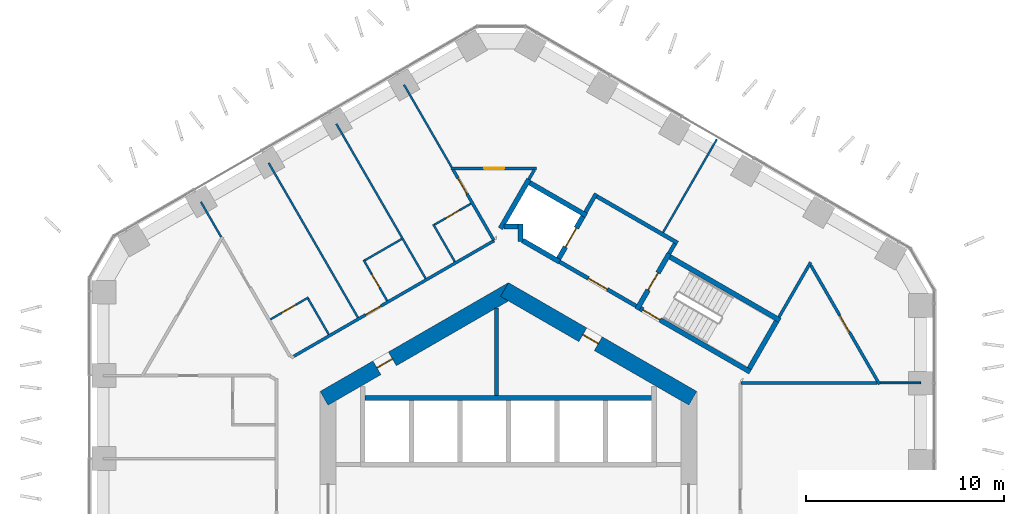
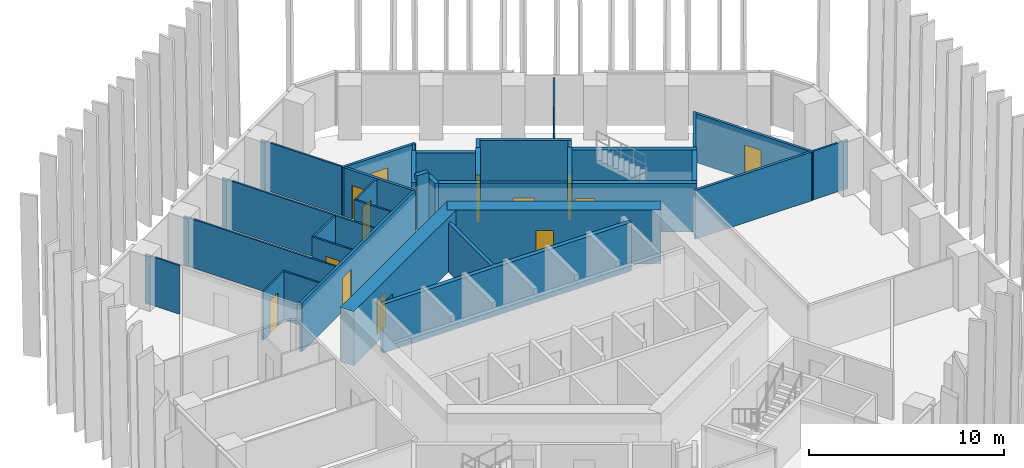
# One storey, part 15 of 19: 37 walls, 13 doors, 13 openings.
"""IFC4 building model written with IfcOpenShell, lengths in metres."""

import ifcopenshell
import ifcopenshell.guid

model = None  # the IFC model being written
_history = None  # IfcOwnerHistory: only IFC2X3 demands one
_inside = {}  # id of a spatial element -> (the spatial element, [elements in it])
_under = {}  # id of a project, library or spatial element -> (it, [spatial elements below it])
_declared = {}  # id of a project -> (the project, [libraries it declares])
_typed = {}  # id of a type object -> (the type object, [elements of that type])
_made_of = {}  # id of a material, layer set ... -> (it, [elements and type objects made of it])


def new_model(schema):
    """Start an empty IFC model of exactly this schema.

    Asked for "IFC4X3", IfcOpenShell would pick the latest addendum, in which some entities
    have other attributes; the version numbers below select the first issue.
    IFC2X3 requires an IfcOwnerHistory on every rooted entity: one is made here for all.
    """
    global model, _history
    if schema == "IFC4X3":
        model = ifcopenshell.file(schema_version=(4, 3, 0, 0))
    else:
        model = ifcopenshell.file(schema=schema)
    _inside.clear()
    _under.clear()
    _declared.clear()
    _typed.clear()
    _made_of.clear()
    _history = None
    if model.schema == "IFC2X3":
        org = make("IfcOrganization", Name="unknown")
        user = make(
            "IfcPersonAndOrganization",
            ThePerson=make("IfcPerson", FamilyName="unknown"),
            TheOrganization=org,
        )
        app = make(
            "IfcApplication",
            ApplicationDeveloper=org,
            Version="unknown",
            ApplicationFullName="unknown",
            ApplicationIdentifier="unknown",
        )
        _history = make(
            "IfcOwnerHistory",
            OwningUser=user,
            OwningApplication=app,
            ChangeAction="ADDED",
            CreationDate=0,
        )
    return model


def make(cls, **values):
    """One entity of the class cls with the attributes given. An attribute that is None is left unset."""
    return model.create_entity(
        cls, **{name: value for name, value in values.items() if value is not None}
    )


def rooted(cls, **values):
    """An entity with a GlobalId (a new one), such as an element, a storey or a relation."""
    return make(cls, GlobalId=ifcopenshell.guid.new(), OwnerHistory=_history, **values)


def si_unit(unit_type, name, prefix=None):
    """IfcSIUnit, for example si_unit("LENGTHUNIT", "METRE", prefix="MILLI")."""
    return make("IfcSIUnit", UnitType=unit_type, Prefix=prefix, Name=name)


def assignment(units):
    """IfcUnitAssignment: the units of a project."""
    return None if units is None else make("IfcUnitAssignment", Units=units)


def point(xyz):
    """IfcCartesianPoint."""
    return None if xyz is None else make("IfcCartesianPoint", Coordinates=xyz)


def direction(xyz):
    """IfcDirection."""
    return None if xyz is None else make("IfcDirection", DirectionRatios=xyz)


def frame(location, z_axis=None, x_axis=None):
    """IfcAxis2Placement3D, a coordinate frame: its origin and axes. An axis left out is left unset."""
    return make(
        "IfcAxis2Placement3D",
        Location=point(location),
        Axis=direction(z_axis),
        RefDirection=direction(x_axis),
    )


def frame_2d(location, x_axis=None):
    """IfcAxis2Placement2D, a coordinate frame in the plane: its origin and x axis."""
    return make(
        "IfcAxis2Placement2D", Location=point(location), RefDirection=direction(x_axis)
    )


def origin():
    """The frame at (0, 0, 0) with its axes left unset."""
    return frame((0.0, 0.0, 0.0))


def place(relative_to, where):
    """IfcLocalPlacement: puts the frame where relative to a parent placement (None: the world)."""
    return make(
        "IfcLocalPlacement", PlacementRelTo=relative_to, RelativePlacement=where
    )


def context(
    kind, dimensions, precision=None, world=None, true_north=None, identifier=None
):
    """IfcGeometricRepresentationContext, for example the 3D "Model" context."""
    return make(
        "IfcGeometricRepresentationContext",
        ContextIdentifier=identifier,
        ContextType=kind,
        CoordinateSpaceDimension=dimensions,
        Precision=precision,
        WorldCoordinateSystem=world,
        TrueNorth=true_north,
    )


def subcontext(parent, identifier, kind, view, scale=None):
    """IfcGeometricRepresentationSubContext, for example "Body" below "Model"."""
    return make(
        "IfcGeometricRepresentationSubContext",
        ContextIdentifier=identifier,
        ContextType=kind,
        ParentContext=parent,
        TargetScale=scale,
        TargetView=view,
    )


def project(units=None, contexts=None):
    """IfcProject with its units and contexts."""
    return rooted(
        "IfcProject",
        Name="project",
        RepresentationContexts=contexts,
        UnitsInContext=assignment(units),
    )


def spatial(cls, under=None, at=None, **own):
    """A site, building, storey or space (cls), placed at a placement, below another one or the project."""
    s = rooted(cls, ObjectPlacement=at, **own)
    if under is not None:
        _under.setdefault(under.id(), (under, []))[1].append(s)
    return s


def profile(cls, at=None, kind="AREA", **sizes):
    """A parametric profile (cls). Its sizes go by their IFC names, for example OverallWidth=200.0."""
    return make(cls, ProfileType=kind, Position=at, **sizes)


def rectangle(**sizes):
    """IfcRectangleProfileDef."""
    return profile("IfcRectangleProfileDef", **sizes)


def extrude(swept, where, along, depth):
    """IfcExtrudedAreaSolid: the profile swept, set in the frame where, extruded along a direction by depth."""
    return make(
        "IfcExtrudedAreaSolid",
        SweptArea=swept,
        Position=where,
        ExtrudedDirection=direction(along),
        Depth=depth,
    )


def shape(context_of_items, identifier, shape_type, items):
    """IfcShapeRepresentation: the items that make up one representation, for example the "Body"."""
    return make(
        "IfcShapeRepresentation",
        ContextOfItems=context_of_items,
        RepresentationIdentifier=identifier,
        RepresentationType=shape_type,
        Items=items,
    )


def material(Name=None, Category=None):
    """IfcMaterial."""
    return make("IfcMaterial", Name=Name, Category=Category)


def layer(
    of_material, thickness, ventilated=None, Name=None, Category=None, Priority=None
):
    """IfcMaterialLayer: one layer of a wall or slab, of a material (None: an air gap)."""
    return make(
        "IfcMaterialLayer",
        Material=of_material,
        LayerThickness=thickness,
        IsVentilated=ventilated,
        Name=Name,
        Category=Category,
        Priority=Priority,
    )


def layer_set(layers, Name=None):
    """IfcMaterialLayerSet."""
    return make("IfcMaterialLayerSet", MaterialLayers=layers, LayerSetName=Name)


def made_of(thing, what):
    """Note that an element or type object is made of a material, layer set ...; save() writes the relation."""
    if what is not None:
        _made_of.setdefault(what.id(), (what, []))[1].append(thing)
    return thing


def type_object(cls, material=None, **own):
    """A type object (cls), such as IfcWallType, which elements share."""
    return made_of(rooted(cls, **own), material)


def element(
    cls,
    number,
    at=None,
    inside=None,
    cuts=None,
    type_object=None,
    material=None,
    context=None,
    identifier="Body",
    shape_type=None,
    held_by="IfcProductDefinitionShape",
    body=None,
    shapes=None,
    **own,
):
    """One element of the class cls, such as IfcWall. Its Tag is "e" and its number.

    at: its placement. inside: the storey or other place that contains it. cuts: it is an
    opening in that element (IfcRelVoidsElement). A single representation is given by context,
    identifier, shape_type and body (its items); several are given by shapes. held_by: the class
    of the entity that holds the representations. save() writes the other relations.
    """
    e = rooted(cls, Tag="e%d" % number, ObjectPlacement=at, **own)
    if body is not None:
        shapes = [shape(context, identifier, shape_type, body)]
    if shapes is not None:
        e.Representation = make(held_by, Representations=shapes)
    if inside is not None:
        _inside.setdefault(inside.id(), (inside, []))[1].append(e)
    if cuts is not None:
        rooted(
            "IfcRelVoidsElement", RelatingBuildingElement=cuts, RelatedOpeningElement=e
        )
    if type_object is not None:
        _typed.setdefault(type_object.id(), (type_object, []))[1].append(e)
    return made_of(e, material)


def fill(opening, filler):
    """IfcRelFillsElement: the door or window that sits in an opening."""
    return rooted(
        "IfcRelFillsElement",
        RelatingOpeningElement=opening,
        RelatedBuildingElement=filler,
    )


def aggregate(whole, parts):
    """IfcRelAggregates: a whole, such as a stair, and the parts it consists of."""
    return rooted("IfcRelAggregates", RelatingObject=whole, RelatedObjects=parts)


def save(model, path):
    """Write the relations noted so far, then the file.

    IfcRelAggregates (storeys below a building ...), IfcRelContainedInSpatialStructure (elements
    in a storey), IfcRelDefinesByType, IfcRelAssociatesMaterial and IfcRelDeclares: one each for
    every whole, place, type object, material and project.
    """
    for whole, parts in _under.values():
        aggregate(whole, parts)
    for where, things in _inside.values():
        rooted(
            "IfcRelContainedInSpatialStructure",
            RelatedElements=things,
            RelatingStructure=where,
        )
    for kind, things in _typed.values():
        rooted("IfcRelDefinesByType", RelatedObjects=things, RelatingType=kind)
    for what, things in _made_of.values():
        rooted("IfcRelAssociatesMaterial", RelatedObjects=things, RelatingMaterial=what)
    for by, libraries in _declared.values():
        rooted("IfcRelDeclares", RelatingContext=by, RelatedDefinitions=libraries)
    model.write(path)


model = new_model("IFC4")

# Units and contexts
model_context = context("Model", 3, precision=1e-05, world=origin(), true_north=direction((0.0, 1.0)))
body_context = subcontext(model_context, "Body", "Model", "MODEL_VIEW")
ifc_project = project(units=[si_unit("LENGTHUNIT", "METRE"), si_unit("AREAUNIT", "SQUARE_METRE"), si_unit("VOLUMEUNIT", "CUBIC_METRE"), si_unit("PLANEANGLEUNIT", "RADIAN"), si_unit("MASSUNIT", "GRAM", prefix="KILO")], contexts=[model_context])

# Site, building, storey
site_placement = place(None, origin())
site = spatial("IfcSite", under=ifc_project, at=site_placement, CompositionType="ELEMENT")
building_placement = place(site_placement, origin())
building = spatial("IfcBuilding", under=site, at=building_placement, Name="Ayvan Gate Tower", CompositionType="ELEMENT")
storey_placement = place(building_placement, frame((0.0, 0.0, 45.89990234375)))
storey = spatial("IfcBuildingStorey", under=building, at=storey_placement, Name="L11", CompositionType="ELEMENT", Elevation=45.89990234375)

# Wall, opening, door
ifc_material_1 = material(Name="Concrete C70/85", Category="concrete")
ifc_layer_1 = layer(ifc_material_1, 0.800048828125)
ifc_layer_set_1 = layer_set([ifc_layer_1], Name="Concrete C70/85")
wall_type_1 = type_object("IfcWallType", Name="Core wall 800 C70/85", PredefinedType="SHEAR", material=ifc_layer_set_1)
wall_1_placement = place(storey_placement, frame((9.300048828125, 5.138427734375, 0.0), z_axis=(0.0, 0.0, 1.0), x_axis=(-0.866023993627, 0.500002442456, 0.0)))
wall_1 = element("IfcWall", 1, at=wall_1_placement, inside=storey, type_object=wall_type_1, Name="CORE-L11-1", PredefinedType="SHEAR", context=body_context, shape_type="SweptSolid", body=[
    extrude(rectangle(XDim=10.9697265625, YDim=0.800048828125, at=frame_2d((5.48486328125, 0.0))), origin(), (0.0, 0.0, 1.0), 3.400146484375),
])
opening_1_placement = place(wall_1_placement, frame((5.5087890625, 0.0, 0.0)))
opening_1 = element("IfcOpeningElement", 2, at=opening_1_placement, cuts=wall_1, Name="Opening L11-D35", PredefinedType="OPENING", context=body_context, shape_type="SweptSolid", body=[
    extrude(rectangle(XDim=0.89990234375, YDim=2.10009765625, at=frame_2d((0.449951171875, 1.050048828125))), frame((0.0, 0.409912109375, 0.0), z_axis=(0.0, -1.0, 0.0), x_axis=(1.0, 0.0, 0.0)), (0.0, 0.0, 1.0), 0.820068359375),
])
ifc_material_2 = material(Name="Timber door leaf", Category="wood")
door_type_1 = type_object("IfcDoorType", Name="DT-900", OperationType="NOTDEFINED", PredefinedType="DOOR", material=ifc_material_2)
door_1_placement = place(opening_1_placement, origin())
door_1 = element("IfcDoor", 3, at=door_1_placement, inside=storey, type_object=door_type_1, Name="CD-L11-35", OperationType="SINGLE_SWING_RIGHT", OverallHeight=2.10009765625, OverallWidth=0.89990234375, PredefinedType="DOOR", context=body_context, shape_type="SweptSolid", body=[
    extrude(rectangle(XDim=0.89990234375, YDim=2.10009765625, at=frame_2d((0.449951171875, 1.050048828125))), frame((0.0, 0.02490234375, 0.0), z_axis=(0.0, -1.0, 0.0), x_axis=(1.0, 0.0, 0.0)), (0.0, 0.0, 1.0), 0.050048828125),
])
fill(opening_1, door_1)

wall_2_placement = place(storey_placement, frame((0.199951171875, 10.623291015625, 0.0), z_axis=(0.0, 0.0, 1.0), x_axis=(-0.866023993627, -0.500002442456, 0.0)))
wall_2 = element("IfcWall", 4, at=wall_2_placement, inside=storey, type_object=wall_type_1, Name="CORE-L11-2", PredefinedType="SHEAR", context=body_context, shape_type="SweptSolid", body=[
    extrude(rectangle(XDim=10.9697265625, YDim=0.800048828125, at=frame_2d((5.48486328125, 0.0))), origin(), (0.0, 0.0, 1.0), 3.400146484375),
])
opening_2_placement = place(wall_2_placement, frame((6.99267578125, 0.0, 0.0)))
opening_2 = element("IfcOpeningElement", 5, at=opening_2_placement, cuts=wall_2, Name="Opening L11-D34", PredefinedType="OPENING", context=body_context, shape_type="SweptSolid", body=[
    extrude(rectangle(XDim=0.89990234375, YDim=2.10009765625, at=frame_2d((0.449951171875, 1.050048828125))), frame((0.0, 0.409912109375, 0.0), z_axis=(0.0, -1.0, 0.0), x_axis=(1.0, 0.0, 0.0)), (0.0, 0.0, 1.0), 0.820068359375),
])
door_2_placement = place(opening_2_placement, origin())
door_2 = element("IfcDoor", 6, at=door_2_placement, inside=storey, type_object=door_type_1, Name="CD-L11-34", OperationType="SINGLE_SWING_LEFT", OverallHeight=2.10009765625, OverallWidth=0.89990234375, PredefinedType="DOOR", context=body_context, shape_type="SweptSolid", body=[
    extrude(rectangle(XDim=0.89990234375, YDim=2.10009765625, at=frame_2d((0.449951171875, 1.050048828125))), frame((0.0, 0.02490234375, 0.0), z_axis=(0.0, -1.0, 0.0), x_axis=(1.0, 0.0, 0.0)), (0.0, 0.0, 1.0), 0.050048828125),
])
fill(opening_2, door_2)

ifc_material_3 = material(Name="Plasterboard on steel stud", Category="steel")
ifc_layer_2 = layer(ifc_material_3, 0.14990234375)
ifc_layer_set_2 = layer_set([ifc_layer_2], Name="Plasterboard on steel stud")
wall_type_2 = type_object("IfcWallType", Name="WT-CORR-150", PredefinedType="PARTITIONING", material=ifc_layer_set_2)
wall_3_placement = place(storey_placement, frame((-10.82958984375, 7.257568359375, 0.0), z_axis=(0.0, 0.0, 1.0), x_axis=(0.86602420186, 0.500002081789, 0.0)))
wall_3 = element("IfcWall", 7, at=wall_3_placement, inside=storey, type_object=wall_type_2, Name="IW-L11-019", PredefinedType="PARTITIONING", context=body_context, shape_type="SweptSolid", body=[
    extrude(rectangle(XDim=11.6640625, YDim=0.14990234375, at=frame_2d((5.83203125, 0.0))), origin(), (0.0, 0.0, 1.0), 3.050048828125),
])
opening_3_placement = place(wall_3_placement, frame((4.178466796875, 0.0, 0.0)))
opening_3 = element("IfcOpeningElement", 8, at=opening_3_placement, cuts=wall_3, Name="Opening L11-D30", PredefinedType="OPENING", context=body_context, shape_type="SweptSolid", body=[
    extrude(rectangle(XDim=0.89990234375, YDim=2.10009765625, at=frame_2d((0.449951171875, 1.050048828125))), frame((0.0, 0.0849609375, 0.0), z_axis=(0.0, -1.0, 0.0), x_axis=(1.0, 0.0, 0.0)), (0.0, 0.0, 1.0), 0.169921875),
])
door_3_placement = place(opening_3_placement, origin())
door_3 = element("IfcDoor", 9, at=door_3_placement, inside=storey, type_object=door_type_1, Name="ID-L11-030", OperationType="SINGLE_SWING_LEFT", OverallHeight=2.10009765625, OverallWidth=0.89990234375, PredefinedType="DOOR", context=body_context, shape_type="SweptSolid", body=[
    extrude(rectangle(XDim=0.89990234375, YDim=2.10009765625, at=frame_2d((0.449951171875, 1.050048828125))), frame((0.0, 0.02490234375, 0.0), z_axis=(0.0, -1.0, 0.0), x_axis=(1.0, 0.0, 0.0)), (0.0, 0.0, 1.0), 0.050048828125),
])
fill(opening_3, door_3)

wall_4_placement = place(storey_placement, frame((-2.9052734375, 16.730224609375, 0.0), z_axis=(0.0, 0.0, 1.0), x_axis=(1.0, 0.0, 0.0)))
wall_4 = element("IfcWall", 10, at=wall_4_placement, inside=storey, type_object=wall_type_2, Name="IW-L11-050", PredefinedType="PARTITIONING", context=body_context, shape_type="SweptSolid", body=[
    extrude(rectangle(XDim=4.32568359375, YDim=0.14990234375, at=frame_2d((2.162841796875, 0.0))), origin(), (0.0, 0.0, 1.0), 3.050048828125),
])
opening_4_placement = place(wall_4_placement, frame((1.68017578125, 0.0, 0.0)))
opening_4 = element("IfcOpeningElement", 11, at=opening_4_placement, cuts=wall_4, Name="Opening L11-D19", PredefinedType="OPENING", context=body_context, shape_type="SweptSolid", body=[
    extrude(rectangle(XDim=1.0, YDim=2.10009765625, at=frame_2d((0.5, 1.050048828125))), frame((0.0, 0.0849609375, 0.0), z_axis=(0.0, -1.0, 0.0), x_axis=(1.0, 0.0, 0.0)), (0.0, 0.0, 1.0), 0.169921875),
])
door_type_2 = type_object("IfcDoorType", Name="DT-1000", OperationType="NOTDEFINED", PredefinedType="DOOR", material=ifc_material_2)
door_4_placement = place(opening_4_placement, origin())
door_4 = element("IfcDoor", 12, at=door_4_placement, inside=storey, type_object=door_type_2, Name="ID-L11-019", OperationType="SINGLE_SWING_RIGHT", OverallHeight=2.10009765625, OverallWidth=1.0, PredefinedType="DOOR", context=body_context, shape_type="SweptSolid", body=[
    extrude(rectangle(XDim=1.0, YDim=2.10009765625, at=frame_2d((0.5, 1.050048828125))), frame((0.0, 0.02490234375, 0.0), z_axis=(0.0, -1.0, 0.0), x_axis=(1.0, 0.0, 0.0)), (0.0, 0.0, 1.0), 0.050048828125),
])
fill(opening_4, door_4)

wall_5_placement = place(storey_placement, frame((-2.792724609375, 16.665283203125, 0.0), z_axis=(0.0, 0.0, 1.0), x_axis=(0.499993881836, -0.866028936079, 0.0)))
wall_5 = element("IfcWall", 13, at=wall_5_placement, inside=storey, type_object=wall_type_2, Name="IW-L11-057", PredefinedType="PARTITIONING", context=body_context, shape_type="SweptSolid", body=[
    extrude(rectangle(XDim=4.1005859375, YDim=0.14990234375, at=frame_2d((2.05029296875, 0.0))), origin(), (0.0, 0.0, 1.0), 3.050048828125),
])
opening_5_placement = place(wall_5_placement, frame((0.49951171875, 0.0, 0.0)))
opening_5 = element("IfcOpeningElement", 14, at=opening_5_placement, cuts=wall_5, Name="Opening L11-D28", PredefinedType="OPENING", context=body_context, shape_type="SweptSolid", body=[
    extrude(rectangle(XDim=0.89990234375, YDim=2.10009765625, at=frame_2d((0.449951171875, 1.050048828125))), frame((0.0, 0.0849609375, 0.0), z_axis=(0.0, -1.0, 0.0), x_axis=(1.0, 0.0, 0.0)), (0.0, 0.0, 1.0), 0.169921875),
])
door_5_placement = place(opening_5_placement, origin())
door_5 = element("IfcDoor", 15, at=door_5_placement, inside=storey, type_object=door_type_1, Name="ID-L11-028", OperationType="SINGLE_SWING_LEFT", OverallHeight=2.10009765625, OverallWidth=0.89990234375, PredefinedType="DOOR", context=body_context, shape_type="SweptSolid", body=[
    extrude(rectangle(XDim=0.89990234375, YDim=2.10009765625, at=frame_2d((0.449951171875, 1.050048828125))), frame((0.0, 0.02490234375, 0.0), z_axis=(0.0, -1.0, 0.0), x_axis=(1.0, 0.0, 0.0)), (0.0, 0.0, 1.0), 0.050048828125),
])
fill(opening_5, door_5)

# Walls
wall_6_placement = place(storey_placement, frame((1.307861328125, 16.665283203125, 0.0), z_axis=(0.0, 0.0, 1.0), x_axis=(-0.499973348067, -0.866040790738, 0.0)))
element("IfcWall", 16, at=wall_6_placement, inside=storey, type_object=wall_type_2, Name="IW-L11-071", PredefinedType="PARTITIONING", context=body_context, shape_type="SweptSolid", body=[
    extrude(rectangle(XDim=0.5615234375, YDim=0.14990234375, at=frame_2d((0.28076171875, 0.0))), origin(), (0.0, 0.0, 1.0), 3.050048828125),
])
wall_7_placement = place(storey_placement, frame((13.647705078125, 9.23876953125, 0.0), z_axis=(0.0, 0.0, 1.0), x_axis=(0.5000079448, 0.866020816803, 0.0)))
element("IfcWall", 17, at=wall_7_placement, inside=storey, type_object=wall_type_2, Name="IW-L11-107", PredefinedType="PARTITIONING", context=body_context, shape_type="SweptSolid", body=[
    extrude(rectangle(XDim=3.18310546875, YDim=0.14990234375, at=frame_2d((1.591552734375, 0.0))), origin(), (0.0, 0.0, 1.0), 3.050048828125),
])

# Wall, opening, door
wall_8_placement = place(storey_placement, frame((15.2392578125, 11.865478515625, 0.0), z_axis=(0.0, 0.0, 1.0), x_axis=(0.500009417749, -0.866019966376, 0.0)))
wall_8 = element("IfcWall", 18, at=wall_8_placement, inside=storey, type_object=wall_type_2, Name="IW-L11-109", PredefinedType="PARTITIONING", context=body_context, shape_type="SweptSolid", body=[
    extrude(rectangle(XDim=6.947021484375, YDim=0.14990234375, at=frame_2d((3.4736328125, 0.0))), origin(), (0.0, 0.0, 1.0), 3.050048828125),
])
opening_6_placement = place(wall_8_placement, frame((2.918701171875, 0.0, 0.0)))
opening_6 = element("IfcOpeningElement", 19, at=opening_6_placement, cuts=wall_8, Name="Opening L11-D18", PredefinedType="OPENING", context=body_context, shape_type="SweptSolid", body=[
    extrude(rectangle(XDim=1.0, YDim=2.10009765625, at=frame_2d((0.5, 1.050048828125))), frame((0.0, 0.0849609375, 0.0), z_axis=(0.0, -1.0, 0.0), x_axis=(1.0, 0.0, 0.0)), (0.0, 0.0, 1.0), 0.169921875),
])
door_6_placement = place(opening_6_placement, origin())
door_6 = element("IfcDoor", 20, at=door_6_placement, inside=storey, type_object=door_type_2, Name="ID-L11-018", OperationType="SINGLE_SWING_LEFT", OverallHeight=2.10009765625, OverallWidth=1.0, PredefinedType="DOOR", context=body_context, shape_type="SweptSolid", body=[
    extrude(rectangle(XDim=1.0, YDim=2.10009765625, at=frame_2d((0.5, 1.050048828125))), frame((0.0, 0.02490234375, 0.0), z_axis=(0.0, -1.0, 0.0), x_axis=(1.0, 0.0, 0.0)), (0.0, 0.0, 1.0), 0.050048828125),
])
fill(opening_6, door_6)

# Walls
wall_9_placement = place(storey_placement, frame((18.600341796875, 5.9140625, 0.0), z_axis=(0.0, 0.0, 1.0), x_axis=(-1.0, 0.0, 0.0)))
element("IfcWall", 21, at=wall_9_placement, inside=storey, type_object=wall_type_2, Name="IW-L11-112", PredefinedType="PARTITIONING", context=body_context, shape_type="SweptSolid", body=[
    extrude(rectangle(XDim=6.8720703125, YDim=0.14990234375, at=frame_2d((3.43603515625, 0.0))), origin(), (0.0, 0.0, 1.0), 3.050048828125),
])
ifc_layer_3 = layer(ifc_material_3, 0.10009765625)
ifc_layer_set_3 = layer_set([ifc_layer_3], Name="Plasterboard on steel stud")
wall_type_3 = type_object("IfcWallType", Name="WT-PART-100", PredefinedType="PARTITIONING", material=ifc_layer_set_3)
wall_10_placement = place(storey_placement, frame((-15.513916015625, 15.04296875, 0.0), z_axis=(0.0, 0.0, 1.0), x_axis=(0.499985639223, -0.866033694824, 0.0)))
element("IfcWall", 22, at=wall_10_placement, inside=storey, type_object=wall_type_3, Name="IW-L11-004", PredefinedType="PARTITIONING", context=body_context, shape_type="SweptSolid", body=[
    extrude(rectangle(XDim=2.0341796875, YDim=0.10009765625, at=frame_2d((1.01708984375, 0.0))), origin(), (0.0, 0.0, 1.0), 3.050048828125),
])

# Wall, opening, door
wall_11_placement = place(storey_placement, frame((-10.086181640625, 10.22705078125, 0.0), z_axis=(0.0, 0.0, 1.0), x_axis=(-0.86602609819, -0.499998797252, 0.0)))
wall_11 = element("IfcWall", 23, at=wall_11_placement, inside=storey, type_object=wall_type_3, Name="IW-L11-020", PredefinedType="PARTITIONING", context=body_context, shape_type="SweptSolid", body=[
    extrude(rectangle(XDim=2.2177734375, YDim=0.10009765625, at=frame_2d((1.10888671875, 0.0))), origin(), (0.0, 0.0, 1.0), 3.050048828125),
])
opening_7_placement = place(wall_11_placement, frame((0.73388671875, 0.0, 0.0)))
opening_7 = element("IfcOpeningElement", 24, at=opening_7_placement, cuts=wall_11, Name="Opening L11-D33", PredefinedType="OPENING", context=body_context, shape_type="SweptSolid", body=[
    extrude(rectangle(XDim=0.800048828125, YDim=2.10009765625, at=frame_2d((0.39990234375, 1.050048828125))), frame((0.0, 0.06005859375, 0.0), z_axis=(0.0, -1.0, 0.0), x_axis=(1.0, 0.0, 0.0)), (0.0, 0.0, 1.0), 0.1201171875),
])
door_type_3 = type_object("IfcDoorType", Name="DT-800", OperationType="NOTDEFINED", PredefinedType="DOOR", material=ifc_material_2)
door_7_placement = place(opening_7_placement, origin())
door_7 = element("IfcDoor", 25, at=door_7_placement, inside=storey, type_object=door_type_3, Name="ID-L11-033", OperationType="SINGLE_SWING_RIGHT", OverallHeight=2.10009765625, OverallWidth=0.800048828125, PredefinedType="DOOR", context=body_context, shape_type="SweptSolid", body=[
    extrude(rectangle(XDim=0.800048828125, YDim=2.10009765625, at=frame_2d((0.39990234375, 1.050048828125))), frame((0.0, 0.02490234375, 0.0), z_axis=(0.0, -1.0, 0.0), x_axis=(1.0, 0.0, 0.0)), (0.0, 0.0, 1.0), 0.050048828125),
])
fill(opening_7, door_7)

# Walls
wall_12_placement = place(storey_placement, frame((-9.06689453125, 8.36181640625, 0.0), z_axis=(0.0, 0.0, 1.0), x_axis=(-0.500061949227, 0.865989634427, 0.0)))
element("IfcWall", 26, at=wall_12_placement, inside=storey, type_object=wall_type_3, Name="IW-L11-021", PredefinedType="PARTITIONING", context=body_context, shape_type="SweptSolid", body=[
    extrude(rectangle(XDim=2.074951171875, YDim=0.10009765625, at=frame_2d((1.03759765625, 0.0))), origin(), (0.0, 0.0, 1.0), 3.050048828125),
])
wall_13_placement = place(storey_placement, frame((-7.5947265625, 9.2119140625, 0.0), z_axis=(0.0, 0.0, 1.0), x_axis=(-0.500009404554, 0.866019973994, 0.0)))
element("IfcWall", 27, at=wall_13_placement, inside=storey, type_object=wall_type_3, Name="IW-L11-028", PredefinedType="PARTITIONING", context=body_context, shape_type="SweptSolid", body=[
    extrude(rectangle(XDim=9.009521484375, YDim=0.10009765625, at=frame_2d((4.5048828125, 0.0))), origin(), (0.0, 0.0, 1.0), 3.050048828125),
])

# Wall, opening, door
wall_14_placement = place(storey_placement, frame((-7.31005859375, 12.11865234375, 0.0), z_axis=(0.0, 0.0, 1.0), x_axis=(0.499986429846, -0.866033238375, 0.0)))
wall_14 = element("IfcWall", 28, at=wall_14_placement, inside=storey, type_object=wall_type_3, Name="IW-L11-034", PredefinedType="PARTITIONING", context=body_context, shape_type="SweptSolid", body=[
    extrude(rectangle(XDim=2.375, YDim=0.10009765625, at=frame_2d((1.1875, 0.0))), origin(), (0.0, 0.0, 1.0), 3.050048828125),
])
opening_8_placement = place(wall_14_placement, frame((0.8125, 0.0, 0.0)))
opening_8 = element("IfcOpeningElement", 29, at=opening_8_placement, cuts=wall_14, Name="Opening L11-D31", PredefinedType="OPENING", context=body_context, shape_type="SweptSolid", body=[
    extrude(rectangle(XDim=0.800048828125, YDim=2.10009765625, at=frame_2d((0.39990234375, 1.050048828125))), frame((0.0, 0.06005859375, 0.0), z_axis=(0.0, -1.0, 0.0), x_axis=(1.0, 0.0, 0.0)), (0.0, 0.0, 1.0), 0.1201171875),
])
door_8_placement = place(opening_8_placement, origin())
door_8 = element("IfcDoor", 30, at=door_8_placement, inside=storey, type_object=door_type_3, Name="ID-L11-031", OperationType="SINGLE_SWING_RIGHT", OverallHeight=2.10009765625, OverallWidth=0.800048828125, PredefinedType="DOOR", context=body_context, shape_type="SweptSolid", body=[
    extrude(rectangle(XDim=0.800048828125, YDim=2.10009765625, at=frame_2d((0.39990234375, 1.050048828125))), frame((0.0, 0.02490234375, 0.0), z_axis=(0.0, -1.0, 0.0), x_axis=(1.0, 0.0, 0.0)), (0.0, 0.0, 1.0), 0.050048828125),
])
fill(opening_8, door_8)

# Walls
wall_15_placement = place(storey_placement, frame((-5.385986328125, 13.171630859375, 0.0), z_axis=(0.0, 0.0, 1.0), x_axis=(-0.86604708139, -0.499962451406, 0.0)))
element("IfcWall", 31, at=wall_15_placement, inside=storey, type_object=wall_type_3, Name="IW-L11-040", PredefinedType="PARTITIONING", context=body_context, shape_type="SweptSolid", body=[
    extrude(rectangle(XDim=2.142822265625, YDim=0.10009765625, at=frame_2d((1.0712890625, 0.0))), origin(), (0.0, 0.0, 1.0), 3.050048828125),
])
wall_16_placement = place(storey_placement, frame((-8.68505859375, 18.985595703125, 0.0), z_axis=(0.0, 0.0, 1.0), x_axis=(0.499989081013, -0.866031707772, 0.0)))
element("IfcWall", 32, at=wall_16_placement, inside=storey, type_object=wall_type_3, Name="IW-L11-041", PredefinedType="PARTITIONING", context=body_context, shape_type="SweptSolid", body=[
    extrude(rectangle(XDim=9.009521484375, YDim=0.10009765625, at=frame_2d((4.5048828125, 0.0))), origin(), (0.0, 0.0, 1.0), 3.050048828125),
])
wall_17_placement = place(storey_placement, frame((-3.79541015625, 13.916748046875, 0.0), z_axis=(0.0, 0.0, 1.0), x_axis=(0.499978335414, -0.866037911478, 0.0)))
element("IfcWall", 33, at=wall_17_placement, inside=storey, type_object=wall_type_3, Name="IW-L11-048", PredefinedType="PARTITIONING", context=body_context, shape_type="SweptSolid", body=[
    extrude(rectangle(XDim=2.1748046875, YDim=0.10009765625, at=frame_2d((1.08740234375, 0.0))), origin(), (0.0, 0.0, 1.0), 3.050048828125),
])
wall_18_placement = place(storey_placement, frame((-2.867919921875, 16.79541015625, 0.0), z_axis=(0.0, 0.0, 1.0), x_axis=(-0.499980464184, 0.866036682499, 0.0)))
element("IfcWall", 34, at=wall_18_placement, inside=storey, type_object=wall_type_3, Name="IW-L11-049", PredefinedType="PARTITIONING", context=body_context, shape_type="SweptSolid", body=[
    extrude(rectangle(XDim=4.805419921875, YDim=0.10009765625, at=frame_2d((2.40283203125, 0.0))), origin(), (0.0, 0.0, 1.0), 3.050048828125),
])

# Wall, opening, door
wall_19_placement = place(storey_placement, frame((-1.893310546875, 14.957275390625, 0.0), z_axis=(0.0, 0.0, 1.0), x_axis=(-0.866028160477, -0.499995225238, 0.0)))
wall_19 = element("IfcWall", 35, at=wall_19_placement, inside=storey, type_object=wall_type_3, Name="IW-L11-056", PredefinedType="PARTITIONING", context=body_context, shape_type="SweptSolid", body=[
    extrude(rectangle(XDim=2.11767578125, YDim=0.10009765625, at=frame_2d((1.058837890625, 0.0))), origin(), (0.0, 0.0, 1.0), 3.050048828125),
])
opening_9_placement = place(wall_19_placement, frame((0.658935546875, 0.0, 0.0)))
opening_9 = element("IfcOpeningElement", 36, at=opening_9_placement, cuts=wall_19, Name="Opening L11-D29", PredefinedType="OPENING", context=body_context, shape_type="SweptSolid", body=[
    extrude(rectangle(XDim=0.800048828125, YDim=2.10009765625, at=frame_2d((0.39990234375, 1.050048828125))), frame((0.0, 0.06005859375, 0.0), z_axis=(0.0, -1.0, 0.0), x_axis=(1.0, 0.0, 0.0)), (0.0, 0.0, 1.0), 0.1201171875),
])
door_9_placement = place(opening_9_placement, origin())
door_9 = element("IfcDoor", 37, at=door_9_placement, inside=storey, type_object=door_type_3, Name="ID-L11-029", OperationType="SINGLE_SWING_RIGHT", OverallHeight=2.10009765625, OverallWidth=0.800048828125, PredefinedType="DOOR", context=body_context, shape_type="SweptSolid", body=[
    extrude(rectangle(XDim=0.800048828125, YDim=2.10009765625, at=frame_2d((0.39990234375, 1.050048828125))), frame((0.0, 0.02490234375, 0.0), z_axis=(0.0, -1.0, 0.0), x_axis=(1.0, 0.0, 0.0)), (0.0, 0.0, 1.0), 0.050048828125),
])
fill(opening_9, door_9)

# Walls
wall_20_placement = place(storey_placement, frame((7.800048828125, 13.510009765625, 0.0), z_axis=(0.0, 0.0, 1.0), x_axis=(0.499987379426, 0.866032690154, 0.0)))
element("IfcWall", 38, at=wall_20_placement, inside=storey, type_object=wall_type_3, Name="IW-L11-092", PredefinedType="PARTITIONING", context=body_context, shape_type="SweptSolid", body=[
    extrude(rectangle(XDim=5.424560546875, YDim=0.10009765625, at=frame_2d((2.71240234375, 0.0))), origin(), (0.0, 0.0, 1.0), 3.050048828125),
])
wall_21_placement = place(storey_placement, frame((18.750244140625, 5.9140625, 0.0), z_axis=(0.0, 0.0, 1.0), x_axis=(1.0, 0.0, 0.0)))
element("IfcWall", 39, at=wall_21_placement, inside=storey, type_object=wall_type_3, Name="IW-L11-111", PredefinedType="PARTITIONING", context=body_context, shape_type="SweptSolid", body=[
    extrude(rectangle(XDim=2.034423828125, YDim=0.10009765625, at=frame_2d((1.01708984375, 0.0))), origin(), (0.0, 0.0, 1.0), 3.050048828125),
])
ifc_layer_4 = layer(ifc_material_3, 0.199951171875)
ifc_layer_set_4 = layer_set([ifc_layer_4], Name="Plasterboard on steel stud")
wall_type_4 = type_object("IfcWallType", Name="WT-RATED-200", PredefinedType="PARTITIONING", material=ifc_layer_set_4)
wall_22_placement = place(storey_placement, frame((-0.60009765625, 9.699462890625, 0.0), z_axis=(0.0, 0.0, 1.0), x_axis=(0.0, -1.0, 0.0)))
element("IfcWall", 40, at=wall_22_placement, inside=storey, type_object=wall_type_4, Name="IW-L11-062", PredefinedType="PARTITIONING", context=body_context, shape_type="SweptSolid", body=[
    extrude(rectangle(XDim=4.424560546875, YDim=0.199951171875, at=frame_2d((2.21240234375, 0.0))), origin(), (0.0, 0.0, 1.0), 3.050048828125),
])
wall_23_placement = place(storey_placement, frame((3.885009765625, 14.52880859375, 0.0), z_axis=(0.0, 0.0, 1.0), x_axis=(0.499997628298, 0.866026773083, 0.0)))
element("IfcWall", 41, at=wall_23_placement, inside=storey, type_object=wall_type_4, Name="IW-L11-080", PredefinedType="PARTITIONING", context=body_context, shape_type="SweptSolid", body=[
    extrude(rectangle(XDim=1.0751953125, YDim=0.199951171875, at=frame_2d((0.53759765625, 0.0))), origin(), (0.0, 0.0, 1.0), 3.050048828125),
])
wall_24_placement = place(storey_placement, frame((4.458984375, 15.323486328125, 0.0), z_axis=(0.0, 0.0, 1.0), x_axis=(0.866016039709, -0.500016218704, 0.0)))
element("IfcWall", 42, at=wall_24_placement, inside=storey, type_object=wall_type_4, Name="IW-L11-081", PredefinedType="PARTITIONING", context=body_context, shape_type="SweptSolid", body=[
    extrude(rectangle(XDim=4.699951171875, YDim=0.199951171875, at=frame_2d((2.35009765625, 0.0))), origin(), (0.0, 0.0, 1.0), 3.050048828125),
])

# Wall, opening, door
wall_25_placement = place(storey_placement, frame((6.4345703125, 9.794921875, 0.0), z_axis=(0.0, 0.0, 1.0), x_axis=(-0.866012907634, 0.500021643343, 0.0)))
wall_25 = element("IfcWall", 43, at=wall_25_placement, inside=storey, type_object=wall_type_4, Name="IW-L11-084", PredefinedType="PARTITIONING", context=body_context, shape_type="SweptSolid", body=[
    extrude(rectangle(XDim=4.449951171875, YDim=0.199951171875, at=frame_2d((2.22509765625, 0.0))), origin(), (0.0, 0.0, 1.0), 3.050048828125),
])
opening_10_placement = place(wall_25_placement, frame((1.675048828125, 0.0, 0.0)))
opening_10 = element("IfcOpeningElement", 44, at=opening_10_placement, cuts=wall_25, Name="Opening L11-D08", PredefinedType="OPENING", context=body_context, shape_type="SweptSolid", body=[
    extrude(rectangle(XDim=1.10009765625, YDim=2.10009765625, at=frame_2d((0.550048828125, 1.050048828125))), frame((0.0, 0.10986328125, 0.0), z_axis=(0.0, -1.0, 0.0), x_axis=(1.0, 0.0, 0.0)), (0.0, 0.0, 1.0), 0.219970703125),
])
door_type_4 = type_object("IfcDoorType", Name="DT-1100", OperationType="NOTDEFINED", PredefinedType="DOOR", material=ifc_material_2)
door_10_placement = place(opening_10_placement, origin())
door_10 = element("IfcDoor", 45, at=door_10_placement, inside=storey, type_object=door_type_4, Name="ID-L11-008", OperationType="SINGLE_SWING_LEFT", OverallHeight=2.10009765625, OverallWidth=1.10009765625, PredefinedType="DOOR", context=body_context, shape_type="SweptSolid", body=[
    extrude(rectangle(XDim=1.10009765625, YDim=2.10009765625, at=frame_2d((0.550048828125, 1.050048828125))), frame((0.0, 0.02490234375, 0.0), z_axis=(0.0, -1.0, 0.0), x_axis=(1.0, 0.0, 0.0)), (0.0, 0.0, 1.0), 0.050048828125),
])
fill(opening_10, door_10)

# Walls
wall_26_placement = place(storey_placement, frame((8.392822265625, 12.936767578125, 0.0), z_axis=(0.0, 0.0, 1.0), x_axis=(-0.500065409566, -0.86598763626, 0.0)))
element("IfcWall", 46, at=wall_26_placement, inside=storey, type_object=wall_type_4, Name="IW-L11-094", PredefinedType="PARTITIONING", context=body_context, shape_type="SweptSolid", body=[
    extrude(rectangle(XDim=0.5751953125, YDim=0.199951171875, at=frame_2d((0.28759765625, 0.0))), origin(), (0.0, 0.0, 1.0), 3.050048828125),
])
ifc_material_4 = material(Name="Concrete C50/60", Category="concrete")
ifc_layer_5 = layer(ifc_material_4, 0.25)
ifc_layer_set_5 = layer_set([ifc_layer_5], Name="Concrete C50/60")
wall_type_5 = type_object("IfcWallType", Name="WT-RC-250", PredefinedType="SHEAR", material=ifc_layer_set_5)
wall_27_placement = place(storey_placement, frame((-7.22509765625, 5.14990234375, 0.0), z_axis=(0.0, 0.0, 1.0), x_axis=(1.0, 0.0, 0.0)))
element("IfcWall", 47, at=wall_27_placement, inside=storey, type_object=wall_type_5, Name="IW-L11-032", PredefinedType="SHEAR", context=body_context, shape_type="SweptSolid", body=[
    extrude(rectangle(XDim=14.7001953125, YDim=0.25, at=frame_2d((7.35009765625, 0.0))), origin(), (0.0, 0.0, 1.0), 3.050048828125),
])
wall_28_placement = place(storey_placement, frame((-0.403076171875, 13.70166015625, 0.0), z_axis=(0.0, 0.0, 1.0), x_axis=(0.499976111731, 0.866039195244, 0.0)))
element("IfcWall", 48, at=wall_28_placement, inside=storey, type_object=wall_type_5, Name="IW-L11-063", PredefinedType="SHEAR", context=body_context, shape_type="SweptSolid", body=[
    extrude(rectangle(XDim=2.860595703125, YDim=0.25, at=frame_2d((1.43017578125, 0.0))), origin(), (0.0, 0.0, 1.0), 3.050048828125),
])
wall_29_placement = place(storey_placement, frame((0.60009765625, 13.03857421875, 0.0), z_axis=(0.0, 0.0, 1.0), x_axis=(0.0, 1.0, 0.0)))
element("IfcWall", 49, at=wall_29_placement, inside=storey, type_object=wall_type_5, Name="IW-L11-067", PredefinedType="SHEAR", context=body_context, shape_type="SweptSolid", body=[
    extrude(rectangle(XDim=0.896484375, YDim=0.25, at=frame_2d((0.4482421875, 0.0))), origin(), (0.0, 0.0, 1.0), 3.050048828125),
])
wall_30_placement = place(storey_placement, frame((0.47509765625, 13.81005859375, 0.0), z_axis=(0.0, 0.0, 1.0), x_axis=(-1.0, 0.0, 0.0)))
element("IfcWall", 50, at=wall_30_placement, inside=storey, type_object=wall_type_5, Name="IW-L11-068", PredefinedType="SHEAR", context=body_context, shape_type="SweptSolid", body=[
    extrude(rectangle(XDim=0.690673828125, YDim=0.25, at=frame_2d((0.34521484375, 0.0))), origin(), (0.0, 0.0, 1.0), 3.400146484375),
])
wall_31_placement = place(storey_placement, frame((1.072998046875, 16.00830078125, 0.0), z_axis=(0.0, 0.0, 1.0), x_axis=(0.866040211805, -0.499974350878, 0.0)))
element("IfcWall", 51, at=wall_31_placement, inside=storey, type_object=wall_type_5, Name="IW-L11-070", PredefinedType="SHEAR", context=body_context, shape_type="SweptSolid", body=[
    extrude(rectangle(XDim=3.300048828125, YDim=0.25, at=frame_2d((1.64990234375, 0.0))), origin(), (0.0, 0.0, 1.0), 3.050048828125),
])
wall_32_placement = place(storey_placement, frame((2.580810546875, 12.02001953125, 0.0), z_axis=(0.0, 0.0, 1.0), x_axis=(-0.86603892542, 0.499976579108, 0.0)))
element("IfcWall", 52, at=wall_32_placement, inside=storey, type_object=wall_type_5, Name="IW-L11-075", PredefinedType="SHEAR", context=body_context, shape_type="SweptSolid", body=[
    extrude(rectangle(XDim=2.162109375, YDim=0.25, at=frame_2d((1.0810546875, 0.0))), origin(), (0.0, 0.0, 1.0), 3.050048828125),
])

# Wall, opening, door
wall_33_placement = place(storey_placement, frame((2.534912109375, 12.19091796875, 0.0), z_axis=(0.0, 0.0, 1.0), x_axis=(0.500061746146, 0.865989751695, 0.0)))
wall_33 = element("IfcWall", 53, at=wall_33_placement, inside=storey, type_object=wall_type_5, Name="IW-L11-076", PredefinedType="SHEAR", context=body_context, shape_type="SweptSolid", body=[
    extrude(rectangle(XDim=2.449951171875, YDim=0.25, at=frame_2d((1.22509765625, 0.0))), origin(), (0.0, 0.0, 1.0), 3.400146484375),
])
opening_11_placement = place(wall_33_placement, frame((0.675048828125, 0.0, 0.0)))
opening_11 = element("IfcOpeningElement", 54, at=opening_11_placement, cuts=wall_33, Name="Opening L11-LD-FF1", PredefinedType="OPENING", context=body_context, shape_type="SweptSolid", body=[
    extrude(rectangle(XDim=1.10009765625, YDim=2.10009765625, at=frame_2d((0.550048828125, 1.050048828125))), frame((0.0, 0.135009765625, 0.0), z_axis=(0.0, -1.0, 0.0), x_axis=(1.0, 0.0, 0.0)), (0.0, 0.0, 1.0), 0.27001953125),
])
ifc_material_5 = material(Name="Stainless steel landing door", Category="steel")
door_type_5 = type_object("IfcDoorType", Name="DT-LANDING-1100", OperationType="SLIDING_TO_LEFT", PredefinedType="DOOR", material=ifc_material_5)
door_11_placement = place(opening_11_placement, origin())
door_11 = element("IfcDoor", 55, at=door_11_placement, inside=storey, type_object=door_type_5, Name="ID-L11-009", OperationType="SLIDING_TO_LEFT", OverallHeight=2.10009765625, OverallWidth=1.10009765625, PredefinedType="DOOR", context=body_context, shape_type="SweptSolid", body=[
    extrude(rectangle(XDim=1.10009765625, YDim=2.10009765625, at=frame_2d((0.550048828125, 1.050048828125))), frame((0.0, 0.02490234375, 0.0), z_axis=(0.0, -1.0, 0.0), x_axis=(1.0, 0.0, 0.0)), (0.0, 0.0, 1.0), 0.050048828125),
])
fill(opening_11, door_11)

wall_34_placement = place(storey_placement, frame((6.480224609375, 9.624267578125, 0.0), z_axis=(0.0, 0.0, 1.0), x_axis=(0.500017246033, 0.866015446554, 0.0)))
wall_34 = element("IfcWall", 56, at=wall_34_placement, inside=storey, type_object=wall_type_5, Name="IW-L11-085", PredefinedType="SHEAR", context=body_context, shape_type="SweptSolid", body=[
    extrude(rectangle(XDim=3.25, YDim=0.25, at=frame_2d((1.625, 0.0))), origin(), (0.0, 0.0, 1.0), 3.050048828125),
])
opening_12_placement = place(wall_34_placement, frame((1.125, 0.0, 0.0)))
opening_12 = element("IfcOpeningElement", 57, at=opening_12_placement, cuts=wall_34, Name="Opening L11-D07", PredefinedType="OPENING", context=body_context, shape_type="SweptSolid", body=[
    extrude(rectangle(XDim=1.0, YDim=2.10009765625, at=frame_2d((0.5, 1.050048828125))), frame((0.0, 0.135009765625, 0.0), z_axis=(0.0, -1.0, 0.0), x_axis=(1.0, 0.0, 0.0)), (0.0, 0.0, 1.0), 0.27001953125),
])
door_12_placement = place(opening_12_placement, origin())
door_12 = element("IfcDoor", 58, at=door_12_placement, inside=storey, type_object=door_type_2, Name="ID-L11-007", OperationType="SINGLE_SWING_RIGHT", OverallHeight=2.10009765625, OverallWidth=1.0, PredefinedType="DOOR", context=body_context, shape_type="SweptSolid", body=[
    extrude(rectangle(XDim=1.0, YDim=2.10009765625, at=frame_2d((0.5, 1.050048828125))), frame((0.0, 0.02490234375, 0.0), z_axis=(0.0, -1.0, 0.0), x_axis=(1.0, 0.0, 0.0)), (0.0, 0.0, 1.0), 0.050048828125),
])
fill(opening_12, door_12)

# Wall
wall_35_placement = place(storey_placement, frame((8.151123046875, 12.26806640625, 0.0), z_axis=(0.0, 0.0, 1.0), x_axis=(0.866025499775, -0.499999833739, 0.0)))
element("IfcWall", 59, at=wall_35_placement, inside=storey, type_object=wall_type_5, Name="IW-L11-093", PredefinedType="SHEAR", context=body_context, shape_type="SweptSolid", body=[
    extrude(rectangle(XDim=6.39990234375, YDim=0.25, at=frame_2d((3.199951171875, 0.0))), origin(), (0.0, 0.0, 1.0), 3.050048828125),
])

# Wall, opening, door
wall_36_placement = place(storey_placement, frame((12.193603515625, 6.469970703125, 0.0), z_axis=(0.0, 0.0, 1.0), x_axis=(-0.866025499775, 0.499999833739, 0.0)))
wall_36 = element("IfcWall", 60, at=wall_36_placement, inside=storey, type_object=wall_type_5, Name="IW-L11-105", PredefinedType="SHEAR", context=body_context, shape_type="SweptSolid", body=[
    extrude(rectangle(XDim=6.39990234375, YDim=0.25, at=frame_2d((3.199951171875, 0.0))), origin(), (0.0, 0.0, 1.0), 3.050048828125),
])
opening_13_placement = place(wall_36_placement, frame((5.25, 0.0, 0.0)))
opening_13 = element("IfcOpeningElement", 61, at=opening_13_placement, cuts=wall_36, Name="Opening L11-D06", PredefinedType="OPENING", context=body_context, shape_type="SweptSolid", body=[
    extrude(rectangle(XDim=1.0, YDim=2.10009765625, at=frame_2d((0.5, 1.050048828125))), frame((0.0, 0.135009765625, 0.0), z_axis=(0.0, -1.0, 0.0), x_axis=(1.0, 0.0, 0.0)), (0.0, 0.0, 1.0), 0.27001953125),
])
door_13_placement = place(opening_13_placement, origin())
door_13 = element("IfcDoor", 62, at=door_13_placement, inside=storey, type_object=door_type_2, Name="ID-L11-006", OperationType="SINGLE_SWING_LEFT", OverallHeight=2.10009765625, OverallWidth=1.0, PredefinedType="DOOR", context=body_context, shape_type="SweptSolid", body=[
    extrude(rectangle(XDim=1.0, YDim=2.10009765625, at=frame_2d((0.5, 1.050048828125))), frame((0.0, 0.02490234375, 0.0), z_axis=(0.0, -1.0, 0.0), x_axis=(1.0, 0.0, 0.0)), (0.0, 0.0, 1.0), 0.050048828125),
])
fill(opening_13, door_13)

# Wall
wall_37_placement = place(storey_placement, frame((13.52294921875, 9.022216796875, 0.0), z_axis=(0.0, 0.0, 1.0), x_axis=(-0.500034990121, -0.866005201286, 0.0)))
element("IfcWall", 63, at=wall_37_placement, inside=storey, type_object=wall_type_5, Name="IW-L11-108", PredefinedType="SHEAR", context=body_context, shape_type="SweptSolid", body=[
    extrude(rectangle(XDim=2.749755859375, YDim=0.25, at=frame_2d((1.375, 0.0))), origin(), (0.0, 0.0, 1.0), 3.050048828125),
])

save(model, "model.ifc")
